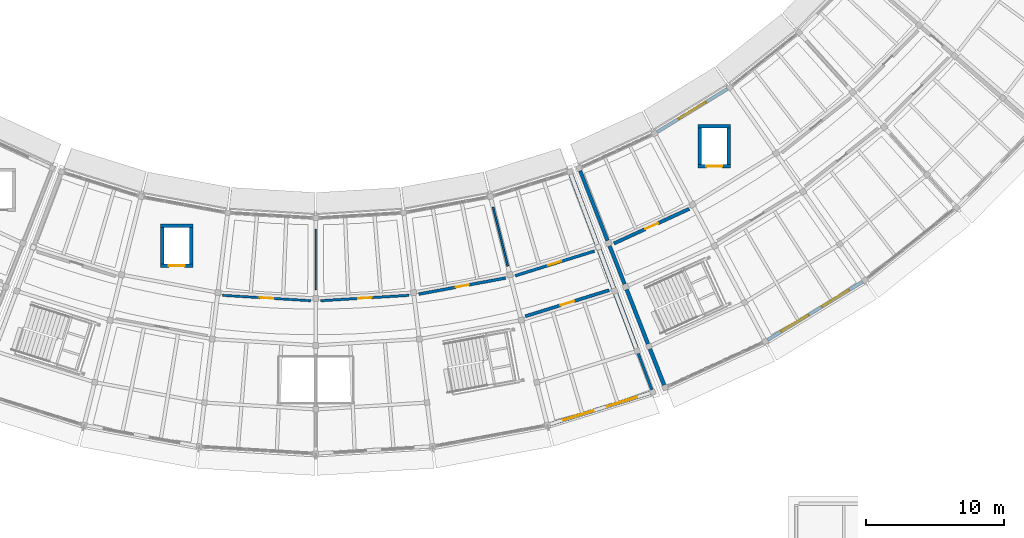
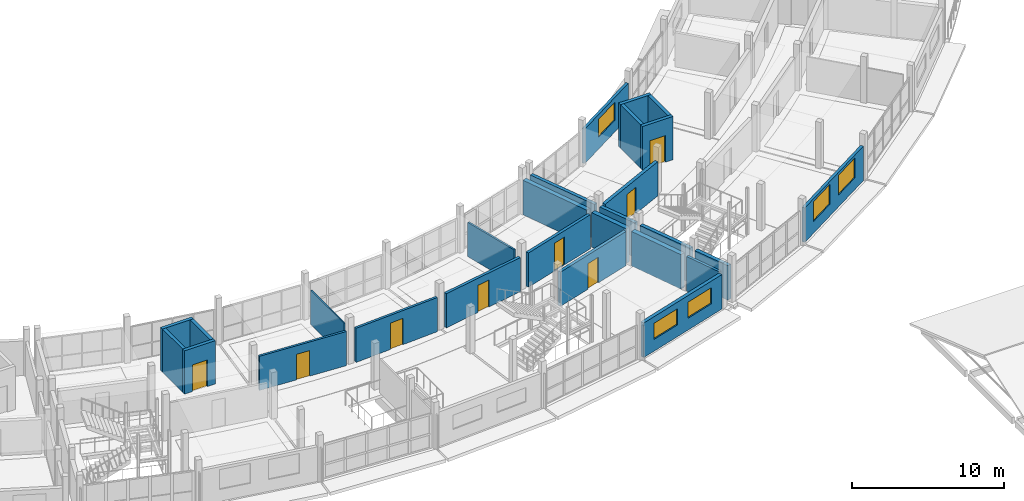
# One storey, part 55 of 66: 27 walls, 8 doors, 5 windows, 13 openings.
"""IFC4 building model written with IfcOpenShell, lengths in metres."""

from ifc_helpers import new_model, si_unit, direction, frame, frame_2d, origin, place, context, subcontext, project, spatial, rectangle, extrude, material, layer, layer_set, type_object, element, fill, save


model = new_model("IFC4")

# Units and contexts
model_context = context("Model", 3, precision=1e-05, world=origin(), true_north=direction((0.0, 1.0)))
body_context = subcontext(model_context, "Body", "Model", "MODEL_VIEW")
ifc_project = project(units=[si_unit("LENGTHUNIT", "METRE"), si_unit("AREAUNIT", "SQUARE_METRE"), si_unit("VOLUMEUNIT", "CUBIC_METRE"), si_unit("PLANEANGLEUNIT", "RADIAN"), si_unit("MASSUNIT", "GRAM", prefix="KILO")], contexts=[model_context])

# Site, building, storey
site_placement = place(None, origin())
site = spatial("IfcSite", under=ifc_project, at=site_placement, CompositionType="ELEMENT")
building_placement = place(site_placement, origin())
building = spatial("IfcBuilding", under=site, at=building_placement, Name="Caldaven Crescent School", CompositionType="ELEMENT")
storey_placement = place(building_placement, frame((0.0, 0.0, 8.159912109375)))
storey = spatial("IfcBuildingStorey", under=building, at=storey_placement, Name="L02", CompositionType="ELEMENT", Elevation=8.159912109375)

# Wall
ifc_material_1 = material(Name="Concrete C35/45", Category="concrete")
ifc_layer_1 = layer(ifc_material_1, 0.300048828125)
ifc_layer_set_1 = layer_set([ifc_layer_1], Name="Concrete C35/45")
wall_type_1 = type_object("IfcWallType", Name="WAL-CW1", PredefinedType="SHEAR", material=ifc_layer_set_1)
wall_1_placement = place(storey_placement, frame((76.729248046875, 42.977783203125, 0.0), z_axis=(0.0, 0.0, 1.0), x_axis=(1.0, 0.0, 0.0)))
element("IfcWall", 1, at=wall_1_placement, inside=storey, type_object=wall_type_1, Name="CW-LF5-L02-N", PredefinedType="SHEAR", context=body_context, shape_type="SweptSolid", body=[
    extrude(rectangle(XDim=2.349853515625, YDim=0.25, at=frame_2d((1.1748046875, 0.0))), origin(), (0.0, 0.0, 1.0), 3.489990234375),
])

# Wall, opening, door
wall_2_placement = place(storey_placement, frame((76.729248046875, 40.07763671875, 0.0), z_axis=(0.0, 0.0, 1.0), x_axis=(1.0, 0.0, 0.0)))
wall_2 = element("IfcWall", 2, at=wall_2_placement, inside=storey, type_object=wall_type_1, Name="CW-LF5-L02-S", PredefinedType="SHEAR", context=body_context, shape_type="SweptSolid", body=[
    extrude(rectangle(XDim=2.349853515625, YDim=0.25, at=frame_2d((1.1748046875, 0.0))), origin(), (0.0, 0.0, 1.0), 3.489990234375),
])
opening_1_placement = place(wall_2_placement, frame((0.60009765625, 0.0, 0.0)))
opening_1 = element("IfcOpeningElement", 3, at=opening_1_placement, cuts=wall_2, Name="Opening LD-LF5-L02", PredefinedType="OPENING", context=body_context, shape_type="SweptSolid", body=[
    extrude(rectangle(XDim=1.14990234375, YDim=2.14990234375, at=frame_2d((0.574951171875, 1.074951171875))), frame((0.0, 0.135009765625, 0.0), z_axis=(0.0, -1.0, 0.0), x_axis=(1.0, 0.0, 0.0)), (0.0, 0.0, 1.0), 0.27001953125),
])
ifc_material_2 = material(Name="Brushed stainless-steel automatic telescopic landing door", Category="steel")
door_type_1 = type_object("IfcDoorType", Name="DOR-LD02", OperationType="DOUBLE_DOOR_SLIDING", PredefinedType="DOOR", material=ifc_material_2)
door_1_placement = place(opening_1_placement, origin())
door_1 = element("IfcDoor", 4, at=door_1_placement, inside=storey, type_object=door_type_1, Name="DOR-LD-LF5-L02", OperationType="DOUBLE_DOOR_SLIDING", OverallHeight=2.14990234375, OverallWidth=1.14990234375, PredefinedType="DOOR", context=body_context, shape_type="SweptSolid", body=[
    extrude(rectangle(XDim=1.14990234375, YDim=2.14990234375, at=frame_2d((0.574951171875, 1.074951171875))), frame((0.0, 0.02490234375, 0.0), z_axis=(0.0, -1.0, 0.0), x_axis=(1.0, 0.0, 0.0)), (0.0, 0.0, 1.0), 0.050048828125),
])
fill(opening_1, door_1)

# Wall
wall_3_placement = place(storey_placement, frame((115.771484375, 50.213623046875, 0.0), z_axis=(0.0, 0.0, 1.0), x_axis=(1.0, 0.0, 0.0)))
element("IfcWall", 5, at=wall_3_placement, inside=storey, type_object=wall_type_1, Name="CW-LF6-L02-N", PredefinedType="SHEAR", context=body_context, shape_type="SweptSolid", body=[
    extrude(rectangle(XDim=2.349853515625, YDim=0.25, at=frame_2d((1.1748046875, 0.0))), origin(), (0.0, 0.0, 1.0), 3.489990234375),
])

# Wall, opening, door
wall_4_placement = place(storey_placement, frame((115.771484375, 47.313720703125, 0.0), z_axis=(0.0, 0.0, 1.0), x_axis=(1.0, 0.0, 0.0)))
wall_4 = element("IfcWall", 6, at=wall_4_placement, inside=storey, type_object=wall_type_1, Name="CW-LF6-L02-S", PredefinedType="SHEAR", context=body_context, shape_type="SweptSolid", body=[
    extrude(rectangle(XDim=2.349853515625, YDim=0.25, at=frame_2d((1.1748046875, 0.0))), origin(), (0.0, 0.0, 1.0), 3.489990234375),
])
opening_2_placement = place(wall_4_placement, frame((0.60009765625, 0.0, 0.0)))
opening_2 = element("IfcOpeningElement", 7, at=opening_2_placement, cuts=wall_4, Name="Opening LD-LF6-L02", PredefinedType="OPENING", context=body_context, shape_type="SweptSolid", body=[
    extrude(rectangle(XDim=1.14990234375, YDim=2.14990234375, at=frame_2d((0.574951171875, 1.074951171875))), frame((0.0, 0.135009765625, 0.0), z_axis=(0.0, -1.0, 0.0), x_axis=(1.0, 0.0, 0.0)), (0.0, 0.0, 1.0), 0.27001953125),
])
door_2_placement = place(opening_2_placement, origin())
door_2 = element("IfcDoor", 8, at=door_2_placement, inside=storey, type_object=door_type_1, Name="DOR-LD-LF6-L02", OperationType="DOUBLE_DOOR_SLIDING", OverallHeight=2.14990234375, OverallWidth=1.14990234375, PredefinedType="DOOR", context=body_context, shape_type="SweptSolid", body=[
    extrude(rectangle(XDim=1.14990234375, YDim=2.14990234375, at=frame_2d((0.574951171875, 1.074951171875))), frame((0.0, 0.02490234375, 0.0), z_axis=(0.0, -1.0, 0.0), x_axis=(1.0, 0.0, 0.0)), (0.0, 0.0, 1.0), 0.050048828125),
])
fill(opening_2, door_2)

# Walls
ifc_layer_2 = layer(ifc_material_1, 0.25)
ifc_layer_set_2 = layer_set([ifc_layer_2], Name="Concrete C35/45")
wall_type_2 = type_object("IfcWallType", Name="WAL-CW2", PredefinedType="SHEAR", material=ifc_layer_set_2)
for number, where, z_axis, x_axis, name in (
    (9, (76.854248046875, 40.20263671875, 0.0), (0.0, 0.0, 1.0), (0.0, 1.0, 0.0), "CW-LF5-L02-W"),
    (10, (78.9541015625, 40.20263671875, 0.0), (0.0, 0.0, 1.0), (0.0, 1.0, 0.0), "CW-LF5-L02-E"),
):
    element("IfcWall", number, at=place(storey_placement, frame(where, z_axis=z_axis, x_axis=x_axis)), inside=storey, type_object=wall_type_2, Name=name, PredefinedType="SHEAR", context=body_context, shape_type="SweptSolid", body=[
        extrude(rectangle(XDim=2.650146484375, YDim=0.25, at=frame_2d((1.3251953125, 0.0))), origin(), (0.0, 0.0, 1.0), 3.489990234375),
    ])
for number, where, z_axis, x_axis, name in (
    (11, (115.896484375, 47.438720703125, 0.0), (0.0, 0.0, 1.0), (0.0, 1.0, 0.0), "CW-LF6-L02-W"),
    (12, (117.996337890625, 47.438720703125, 0.0), (0.0, 0.0, 1.0), (0.0, 1.0, 0.0), "CW-LF6-L02-E"),
):
    element("IfcWall", number, at=place(storey_placement, frame(where, z_axis=z_axis, x_axis=x_axis)), inside=storey, type_object=wall_type_2, Name=name, PredefinedType="SHEAR", context=body_context, shape_type="SweptSolid", body=[
        extrude(rectangle(XDim=2.64990234375, YDim=0.25, at=frame_2d((1.324951171875, 0.0))), origin(), (0.0, 0.0, 1.0), 3.489990234375),
    ])
ifc_material_3 = material(Name="Precast concrete C35/45", Category="concrete")
ifc_layer_3 = layer(ifc_material_3, 0.19189453125)
ifc_layer_set_3 = layer_set([ifc_layer_3], Name="Precast concrete C35/45")
wall_type_3 = type_object("IfcWallType", Name="WAL-EW01", PredefinedType="STANDARD", material=ifc_layer_set_3)
wall_5_placement = place(storey_placement, frame((111.42041015625, 33.70947265625, 0.0), z_axis=(0.0, 0.0, 1.0), x_axis=(0.351915246361, -0.936031868784, 0.0)))
element("IfcWall", 13, at=wall_5_placement, inside=storey, type_object=wall_type_3, Name="EW-L02-182", PredefinedType="STANDARD", context=body_context, shape_type="SweptSolid", body=[
    extrude(rectangle(XDim=2.80419921875, YDim=0.19189453125, at=frame_2d((1.402099609375, 0.0))), origin(), (0.0, 0.0, 1.0), 2.780029296875),
])

# Wall, opening, window
ifc_layer_4 = layer(ifc_material_3, 0.2041015625)
ifc_layer_set_4 = layer_set([ifc_layer_4], Name="Precast concrete C35/45")
wall_type_4 = type_object("IfcWallType", Name="WAL-EW02", PredefinedType="STANDARD", material=ifc_layer_set_4)
wall_6_placement = place(storey_placement, frame((112.792724609375, 49.79296875, 0.0), z_axis=(0.0, 0.0, 1.0), x_axis=(0.85263629261, 0.522504882775, 0.0)))
wall_6 = element("IfcWall", 14, at=wall_6_placement, inside=storey, type_object=wall_type_4, Name="EW-L02-183", PredefinedType="STANDARD", context=body_context, shape_type="SweptSolid", body=[
    extrude(rectangle(XDim=6.0078125, YDim=0.2041015625, at=frame_2d((3.00390625, 0.0))), origin(), (0.0, 0.0, 1.0), 2.780029296875),
])
opening_3_placement = place(wall_6_placement, frame((1.85400390625, 0.0, 0.949951171875)))
opening_3 = element("IfcOpeningElement", 15, at=opening_3_placement, cuts=wall_6, Name="Opening W43", PredefinedType="OPENING", context=body_context, shape_type="SweptSolid", body=[
    extrude(rectangle(XDim=2.300048828125, YDim=1.449951171875, at=frame_2d((1.14990234375, 0.72509765625))), frame((0.0, 0.112060546875, 0.0), z_axis=(0.0, -1.0, 0.0), x_axis=(1.0, 0.0, 0.0)), (0.0, 0.0, 1.0), 0.22412109375),
])
ifc_material_4 = material(Name="Thermally broken anodised aluminium AA 6063-T6 and low-E double glazing", Category="aluminium")
window_type_1 = type_object("IfcWindowType", Name="WIN-W43", PartitioningType="SINGLE_PANEL", PredefinedType="WINDOW", material=ifc_material_4)
window_1_placement = place(opening_3_placement, origin())
window_1 = element("IfcWindow", 16, at=window_1_placement, inside=storey, type_object=window_type_1, Name="WIN-L02-090-1", OverallHeight=1.449951171875, OverallWidth=2.300048828125, PartitioningType="SINGLE_PANEL", PredefinedType="WINDOW", context=body_context, shape_type="SweptSolid", body=[
    extrude(rectangle(XDim=2.300048828125, YDim=1.449951171875, at=frame_2d((1.14990234375, 0.72509765625))), frame((0.0, 0.030029296875, 0.0), z_axis=(0.0, -1.0, 0.0), x_axis=(1.0, 0.0, 0.0)), (0.0, 0.0, 1.0), 0.06005859375),
])
fill(opening_3, window_1)

# Wall, openings, windows
ifc_layer_5 = layer(ifc_material_3, 0.216064453125)
ifc_layer_set_5 = layer_set([ifc_layer_5], Name="Precast concrete C35/45")
wall_type_5 = type_object("IfcWallType", Name="WAL-EW03", PredefinedType="STANDARD", material=ifc_layer_set_5)
wall_7_placement = place(storey_placement, frame((120.820556640625, 34.6943359375, 0.0), z_axis=(0.0, 0.0, 1.0), x_axis=(0.852631156109, 0.522513264551, 0.0)))
wall_7 = element("IfcWall", 17, at=wall_7_placement, inside=storey, type_object=wall_type_5, Name="EW-L02-184", PredefinedType="STANDARD", context=body_context, shape_type="SweptSolid", body=[
    extrude(rectangle(XDim=8.095947265625, YDim=0.216064453125, at=frame_2d((4.0478515625, 0.0))), origin(), (0.0, 0.0, 1.0), 2.780029296875),
])
opening_4_placement = place(wall_7_placement, frame((1.165283203125, 0.0, 0.949951171875)))
opening_4 = element("IfcOpeningElement", 18, at=opening_4_placement, cuts=wall_7, Name="Opening W44", PredefinedType="OPENING", context=body_context, shape_type="SweptSolid", body=[
    extrude(rectangle(XDim=2.300048828125, YDim=1.60009765625, at=frame_2d((1.14990234375, 0.800048828125))), frame((0.0, 0.117919921875, 0.0), z_axis=(0.0, -1.0, 0.0), x_axis=(1.0, 0.0, 0.0)), (0.0, 0.0, 1.0), 0.236083984375),
])
opening_5_placement = place(wall_7_placement, frame((4.630615234375, 0.0, 0.949951171875)))
opening_5 = element("IfcOpeningElement", 19, at=opening_5_placement, cuts=wall_7, Name="Opening W44", PredefinedType="OPENING", context=body_context, shape_type="SweptSolid", body=[
    extrude(rectangle(XDim=2.300048828125, YDim=1.60009765625, at=frame_2d((1.14990234375, 0.800048828125))), frame((0.0, 0.117919921875, 0.0), z_axis=(0.0, -1.0, 0.0), x_axis=(1.0, 0.0, 0.0)), (0.0, 0.0, 1.0), 0.236083984375),
])
window_type_2 = type_object("IfcWindowType", Name="WIN-W44", PartitioningType="SINGLE_PANEL", PredefinedType="WINDOW", material=ifc_material_4)
window_2_placement = place(opening_4_placement, origin())
window_2 = element("IfcWindow", 20, at=window_2_placement, inside=storey, type_object=window_type_2, Name="WIN-L02-091-1", OverallHeight=1.60009765625, OverallWidth=2.300048828125, PartitioningType="SINGLE_PANEL", PredefinedType="WINDOW", context=body_context, shape_type="SweptSolid", body=[
    extrude(rectangle(XDim=2.300048828125, YDim=1.60009765625, at=frame_2d((1.14990234375, 0.800048828125))), frame((0.0, 0.030029296875, 0.0), z_axis=(0.0, -1.0, 0.0), x_axis=(1.0, 0.0, 0.0)), (0.0, 0.0, 1.0), 0.06005859375),
])
fill(opening_4, window_2)
window_3_placement = place(opening_5_placement, origin())
window_3 = element("IfcWindow", 21, at=window_3_placement, inside=storey, type_object=window_type_2, Name="WIN-L02-091-2", OverallHeight=1.60009765625, OverallWidth=2.300048828125, PartitioningType="SINGLE_PANEL", PredefinedType="WINDOW", context=body_context, shape_type="SweptSolid", body=[
    extrude(rectangle(XDim=2.300048828125, YDim=1.60009765625, at=frame_2d((1.14990234375, 0.800048828125))), frame((0.0, 0.030029296875, 0.0), z_axis=(0.0, -1.0, 0.0), x_axis=(1.0, 0.0, 0.0)), (0.0, 0.0, 1.0), 0.06005859375),
])
fill(opening_5, window_3)

# Wall
ifc_layer_6 = layer(ifc_material_3, 0.251953125)
ifc_layer_set_6 = layer_set([ifc_layer_6], Name="Precast concrete C35/45")
wall_type_6 = type_object("IfcWallType", Name="WAL-EW06", PredefinedType="STANDARD", material=ifc_layer_set_6)
wall_8_placement = place(storey_placement, frame((107.205322265625, 46.97998046875, 0.0), z_axis=(0.0, 0.0, 1.0), x_axis=(0.364795350011, -0.931087725518, 0.0)))
element("IfcWall", 22, at=wall_8_placement, inside=storey, type_object=wall_type_6, Name="EW-L02-187", PredefinedType="STANDARD", context=body_context, shape_type="SweptSolid", body=[
    extrude(rectangle(XDim=5.43896484375, YDim=0.251953125, at=frame_2d((2.719482421875, 0.0))), origin(), (0.0, 0.0, 1.0), 2.780029296875),
])

# Wall, openings, windows
ifc_layer_7 = layer(ifc_material_3, 0.263916015625)
ifc_layer_set_7 = layer_set([ifc_layer_7], Name="Precast concrete C35/45")
wall_type_7 = type_object("IfcWallType", Name="WAL-EW07", PredefinedType="STANDARD", material=ifc_layer_set_7)
wall_9_placement = place(storey_placement, frame((105.0146484375, 28.57470703125, 0.0), z_axis=(0.0, 0.0, 1.0), x_axis=(0.954741354709, 0.297437296937, 0.0)))
wall_9 = element("IfcWall", 23, at=wall_9_placement, inside=storey, type_object=wall_type_7, Name="EW-L02-174", PredefinedType="STANDARD", context=body_context, shape_type="SweptSolid", body=[
    extrude(rectangle(XDim=7.617919921875, YDim=0.263916015625, at=frame_2d((3.80908203125, 0.0))), origin(), (0.0, 0.0, 1.0), 2.780029296875),
])
opening_6_placement = place(wall_9_placement, frame((1.005859375, 0.0, 0.949951171875)))
opening_6 = element("IfcOpeningElement", 24, at=opening_6_placement, cuts=wall_9, Name="Opening W42", PredefinedType="OPENING", context=body_context, shape_type="SweptSolid", body=[
    extrude(rectangle(XDim=2.300048828125, YDim=1.300048828125, at=frame_2d((1.14990234375, 0.64990234375))), frame((0.0, 0.141845703125, 0.0), z_axis=(0.0, -1.0, 0.0), x_axis=(1.0, 0.0, 0.0)), (0.0, 0.0, 1.0), 0.283935546875),
])
opening_7_placement = place(wall_9_placement, frame((4.31201171875, 0.0, 0.949951171875)))
opening_7 = element("IfcOpeningElement", 25, at=opening_7_placement, cuts=wall_9, Name="Opening W42", PredefinedType="OPENING", context=body_context, shape_type="SweptSolid", body=[
    extrude(rectangle(XDim=2.300048828125, YDim=1.300048828125, at=frame_2d((1.14990234375, 0.64990234375))), frame((0.0, 0.141845703125, 0.0), z_axis=(0.0, -1.0, 0.0), x_axis=(1.0, 0.0, 0.0)), (0.0, 0.0, 1.0), 0.283935546875),
])
window_type_3 = type_object("IfcWindowType", Name="WIN-W42", PartitioningType="SINGLE_PANEL", PredefinedType="WINDOW", material=ifc_material_4)
window_4_placement = place(opening_6_placement, origin())
window_4 = element("IfcWindow", 26, at=window_4_placement, inside=storey, type_object=window_type_3, Name="WIN-L02-089-1", OverallHeight=1.300048828125, OverallWidth=2.300048828125, PartitioningType="SINGLE_PANEL", PredefinedType="WINDOW", context=body_context, shape_type="SweptSolid", body=[
    extrude(rectangle(XDim=2.300048828125, YDim=1.300048828125, at=frame_2d((1.14990234375, 0.64990234375))), frame((0.0, 0.030029296875, 0.0), z_axis=(0.0, -1.0, 0.0), x_axis=(1.0, 0.0, 0.0)), (0.0, 0.0, 1.0), 0.06005859375),
])
fill(opening_6, window_4)
window_5_placement = place(opening_7_placement, origin())
window_5 = element("IfcWindow", 27, at=window_5_placement, inside=storey, type_object=window_type_3, Name="WIN-L02-089-2", OverallHeight=1.300048828125, OverallWidth=2.300048828125, PartitioningType="SINGLE_PANEL", PredefinedType="WINDOW", context=body_context, shape_type="SweptSolid", body=[
    extrude(rectangle(XDim=2.300048828125, YDim=1.300048828125, at=frame_2d((1.14990234375, 0.64990234375))), frame((0.0, 0.030029296875, 0.0), z_axis=(0.0, -1.0, 0.0), x_axis=(1.0, 0.0, 0.0)), (0.0, 0.0, 1.0), 0.06005859375),
])
fill(opening_7, window_5)

# Walls
wall_10_placement = place(storey_placement, frame((109.3447265625, 41.51904296875, 0.0), z_axis=(0.0, 0.0, 1.0), x_axis=(0.364814075751, -0.931080388653, 0.0)))
element("IfcWall", 28, at=wall_10_placement, inside=storey, type_object=wall_type_7, Name="EW-L02-188", PredefinedType="STANDARD", context=body_context, shape_type="SweptSolid", body=[
    extrude(rectangle(XDim=2.97412109375, YDim=0.263916015625, at=frame_2d((1.487060546875, 0.0))), origin(), (0.0, 0.0, 1.0), 2.780029296875),
])
ifc_layer_8 = layer(ifc_material_3, 0.27587890625)
ifc_layer_set_8 = layer_set([ifc_layer_8], Name="Precast concrete C35/45")
wall_type_8 = type_object("IfcWallType", Name="WAL-EW08", PredefinedType="STANDARD", material=ifc_layer_set_8)
wall_11_placement = place(storey_placement, frame((110.5849609375, 38.353271484375, 0.0), z_axis=(0.0, 0.0, 1.0), x_axis=(0.364807578084, -0.93108293453, 0.0)))
element("IfcWall", 29, at=wall_11_placement, inside=storey, type_object=wall_type_8, Name="EW-L02-189", PredefinedType="STANDARD", context=body_context, shape_type="SweptSolid", body=[
    extrude(rectangle(XDim=4.239013671875, YDim=0.27587890625, at=frame_2d((2.11962890625, 0.0))), origin(), (0.0, 0.0, 1.0), 2.780029296875),
])
ifc_layer_9 = layer(ifc_material_3, 0.2880859375)
ifc_layer_set_9 = layer_set([ifc_layer_9], Name="Precast concrete C35/45")
wall_type_9 = type_object("IfcWallType", Name="WAL-EW09", PredefinedType="STANDARD", material=ifc_layer_set_9)
wall_12_placement = place(storey_placement, frame((112.27587890625, 34.037841796875, 0.0), z_axis=(0.0, 0.0, 1.0), x_axis=(0.364806382824, -0.931083402844, 0.0)))
element("IfcWall", 30, at=wall_12_placement, inside=storey, type_object=wall_type_9, Name="EW-L02-190", PredefinedType="STANDARD", context=body_context, shape_type="SweptSolid", body=[
    extrude(rectangle(XDim=2.80419921875, YDim=0.2880859375, at=frame_2d((1.402099609375, 0.0))), origin(), (0.0, 0.0, 1.0), 2.780029296875),
])
ifc_layer_10 = layer(ifc_material_3, 0.323974609375)
ifc_layer_set_10 = layer_set([ifc_layer_10], Name="Precast concrete C35/45")
wall_type_10 = type_object("IfcWallType", Name="WAL-EW12", PredefinedType="STANDARD", material=ifc_layer_set_10)
wall_13_placement = place(storey_placement, frame((106.528564453125, 46.72021484375, 0.0), z_axis=(0.0, 0.0, 1.0), x_axis=(0.351915297574, -0.936031849529, 0.0)))
element("IfcWall", 31, at=wall_13_placement, inside=storey, type_object=wall_type_10, Name="EW-L02-179", PredefinedType="STANDARD", context=body_context, shape_type="SweptSolid", body=[
    extrude(rectangle(XDim=5.43896484375, YDim=0.323974609375, at=frame_2d((2.719482421875, 0.0))), origin(), (0.0, 0.0, 1.0), 2.780029296875),
])
ifc_layer_11 = layer(ifc_material_3, 0.3359375)
ifc_layer_set_11 = layer_set([ifc_layer_11], Name="Precast concrete C35/45")
wall_type_11 = type_object("IfcWallType", Name="WAL-EW13", PredefinedType="STANDARD", material=ifc_layer_set_11)
wall_14_placement = place(storey_placement, frame((108.592529296875, 41.230224609375, 0.0), z_axis=(0.0, 0.0, 1.0), x_axis=(0.35193299539, -0.936025195577, 0.0)))
element("IfcWall", 32, at=wall_14_placement, inside=storey, type_object=wall_type_11, Name="EW-L02-180", PredefinedType="STANDARD", context=body_context, shape_type="SweptSolid", body=[
    extrude(rectangle(XDim=2.973876953125, YDim=0.3359375, at=frame_2d((1.48681640625, 0.0))), origin(), (0.0, 0.0, 1.0), 2.780029296875),
])
ifc_layer_12 = layer(ifc_material_3, 0.347900390625)
ifc_layer_set_12 = layer_set([ifc_layer_12], Name="Precast concrete C35/45")
wall_type_12 = type_object("IfcWallType", Name="WAL-EW14", PredefinedType="STANDARD", material=ifc_layer_set_12)
wall_15_placement = place(storey_placement, frame((109.7890625, 38.0478515625, 0.0), z_axis=(0.0, 0.0, 1.0), x_axis=(0.351956442029, -0.936016379619, 0.0)))
element("IfcWall", 33, at=wall_15_placement, inside=storey, type_object=wall_type_12, Name="EW-L02-181", PredefinedType="STANDARD", context=body_context, shape_type="SweptSolid", body=[
    extrude(rectangle(XDim=4.239013671875, YDim=0.347900390625, at=frame_2d((2.11962890625, 0.0))), origin(), (0.0, 0.0, 1.0), 2.780029296875),
])

# Wall, opening, door
ifc_material_5 = material(Name="Acoustic timber-stud and fire-rated gypsum board assembly", Category="wood")
ifc_layer_13 = layer(ifc_material_5, 0.169921875)
ifc_layer_set_13 = layer_set([ifc_layer_13], Name="Acoustic timber-stud and fire-rated gypsum board assembly")
wall_type_13 = type_object("IfcWallType", Name="WAL-IW02", PredefinedType="STANDARD", material=ifc_layer_set_13)
wall_16_placement = place(storey_placement, frame((81.232421875, 37.933837890625, 0.0), z_axis=(0.0, 0.0, 1.0), x_axis=(0.998135716959, -0.061033519724, 0.0)))
wall_16 = element("IfcWall", 34, at=wall_16_placement, inside=storey, type_object=wall_type_13, Name="IW-L02-0241", PredefinedType="STANDARD", context=body_context, shape_type="SweptSolid", body=[
    extrude(rectangle(XDim=6.420166015625, YDim=0.169921875, at=frame_2d((3.2099609375, 0.0))), origin(), (0.0, 0.0, 1.0), 2.75),
])
opening_8_placement = place(wall_16_placement, frame((2.72021484375, 0.0, 0.0)))
opening_8 = element("IfcOpeningElement", 35, at=opening_8_placement, cuts=wall_16, Name="Opening D-L02-I172", PredefinedType="OPENING", context=body_context, shape_type="SweptSolid", body=[
    extrude(rectangle(XDim=0.97998046875, YDim=2.06005859375, at=frame_2d((0.489990234375, 1.030029296875))), frame((0.0, 0.094970703125, 0.0), z_axis=(0.0, -1.0, 0.0), x_axis=(1.0, 0.0, 0.0)), (0.0, 0.0, 1.0), 0.18994140625),
])
ifc_material_6 = material(Name="Solid-core Pino Radiata acoustic timber leaf in steel frame", Category="steel")
door_type_2 = type_object("IfcDoorType", Name="DOR-ID13", OperationType="NOTDEFINED", PredefinedType="DOOR", material=ifc_material_6)
door_3_placement = place(opening_8_placement, frame((0.97998046875, 0.0, 0.0), z_axis=(0.0, 0.0, 1.0), x_axis=(-1.0, 0.0, 0.0)))
door_3 = element("IfcDoor", 36, at=door_3_placement, inside=storey, type_object=door_type_2, Name="DOR-INT-L02-0172", OperationType="SINGLE_SWING_LEFT", OverallHeight=2.06005859375, OverallWidth=0.97998046875, PredefinedType="DOOR", context=body_context, shape_type="SweptSolid", body=[
    extrude(rectangle(XDim=0.97998046875, YDim=2.06005859375, at=frame_2d((0.489990234375, 1.030029296875))), frame((0.0, 0.02490234375, 0.0), z_axis=(0.0, -1.0, 0.0), x_axis=(1.0, 0.0, 0.0)), (0.0, 0.0, 1.0), 0.050048828125),
])
fill(opening_8, door_3)

ifc_layer_14 = layer(ifc_material_5, 0.179931640625)
ifc_layer_set_14 = layer_set([ifc_layer_14], Name="Acoustic timber-stud and fire-rated gypsum board assembly")
wall_type_14 = type_object("IfcWallType", Name="WAL-IW03", PredefinedType="STANDARD", material=ifc_layer_set_14)
wall_17_placement = place(storey_placement, frame((88.359375, 37.5419921875, 0.0), z_axis=(0.0, 0.0, 1.0), x_axis=(0.998135716959, 0.061033519724, 0.0)))
wall_17 = element("IfcWall", 37, at=wall_17_placement, inside=storey, type_object=wall_type_14, Name="IW-L02-0242", PredefinedType="STANDARD", context=body_context, shape_type="SweptSolid", body=[
    extrude(rectangle(XDim=6.420166015625, YDim=0.179931640625, at=frame_2d((3.2099609375, 0.0))), origin(), (0.0, 0.0, 1.0), 2.75),
])
opening_9_placement = place(wall_17_placement, frame((2.72021484375, 0.0, 0.0)))
opening_9 = element("IfcOpeningElement", 38, at=opening_9_placement, cuts=wall_17, Name="Opening D-L02-I173", PredefinedType="OPENING", context=body_context, shape_type="SweptSolid", body=[
    extrude(rectangle(XDim=0.97998046875, YDim=2.1201171875, at=frame_2d((0.489990234375, 1.06005859375))), frame((0.0, 0.099853515625, 0.0), z_axis=(0.0, -1.0, 0.0), x_axis=(1.0, 0.0, 0.0)), (0.0, 0.0, 1.0), 0.199951171875),
])
door_type_3 = type_object("IfcDoorType", Name="DOR-ID14", OperationType="NOTDEFINED", PredefinedType="DOOR", material=ifc_material_6)
door_4_placement = place(opening_9_placement, frame((0.97998046875, 0.0, 0.0), z_axis=(0.0, 0.0, 1.0), x_axis=(-1.0, 0.0, 0.0)))
door_4 = element("IfcDoor", 39, at=door_4_placement, inside=storey, type_object=door_type_3, Name="DOR-INT-L02-0173", OperationType="SINGLE_SWING_RIGHT", OverallHeight=2.1201171875, OverallWidth=0.97998046875, PredefinedType="DOOR", context=body_context, shape_type="SweptSolid", body=[
    extrude(rectangle(XDim=0.97998046875, YDim=2.1201171875, at=frame_2d((0.489990234375, 1.06005859375))), frame((0.0, 0.02490234375, 0.0), z_axis=(0.0, -1.0, 0.0), x_axis=(1.0, 0.0, 0.0)), (0.0, 0.0, 1.0), 0.050048828125),
])
fill(opening_9, door_4)

ifc_layer_15 = layer(ifc_material_5, 0.2099609375)
ifc_layer_set_15 = layer_set([ifc_layer_15], Name="Acoustic timber-stud and fire-rated gypsum board assembly")
wall_type_15 = type_object("IfcWallType", Name="WAL-IW06", PredefinedType="STANDARD", material=ifc_layer_set_15)
wall_18_placement = place(storey_placement, frame((95.48095703125, 38.021484375, 0.0), z_axis=(0.0, 0.0, 1.0), x_axis=(0.983257031249, 0.182224066742, 0.0)))
wall_18 = element("IfcWall", 40, at=wall_18_placement, inside=storey, type_object=wall_type_15, Name="IW-L02-0245", PredefinedType="STANDARD", context=body_context, shape_type="SweptSolid", body=[
    extrude(rectangle(XDim=6.420166015625, YDim=0.2099609375, at=frame_2d((3.2099609375, 0.0))), origin(), (0.0, 0.0, 1.0), 2.75),
])
opening_10_placement = place(wall_18_placement, frame((2.72021484375, 0.0, 0.0)))
opening_10 = element("IfcOpeningElement", 41, at=opening_10_placement, cuts=wall_18, Name="Opening D-L02-I174", PredefinedType="OPENING", context=body_context, shape_type="SweptSolid", body=[
    extrude(rectangle(XDim=0.97998046875, YDim=2.179931640625, at=frame_2d((0.489990234375, 1.08984375))), frame((0.0, 0.114990234375, 0.0), z_axis=(0.0, -1.0, 0.0), x_axis=(1.0, 0.0, 0.0)), (0.0, 0.0, 1.0), 0.22998046875),
])
door_type_4 = type_object("IfcDoorType", Name="DOR-ID15", OperationType="NOTDEFINED", PredefinedType="DOOR", material=ifc_material_6)
door_5_placement = place(opening_10_placement, frame((0.97998046875, 0.0, 0.0), z_axis=(0.0, 0.0, 1.0), x_axis=(-1.0, 0.0, 0.0)))
door_5 = element("IfcDoor", 42, at=door_5_placement, inside=storey, type_object=door_type_4, Name="DOR-INT-L02-0174", OperationType="SINGLE_SWING_LEFT", OverallHeight=2.179931640625, OverallWidth=0.97998046875, PredefinedType="DOOR", context=body_context, shape_type="SweptSolid", body=[
    extrude(rectangle(XDim=0.97998046875, YDim=2.179931640625, at=frame_2d((0.489990234375, 1.08984375))), frame((0.0, 0.02490234375, 0.0), z_axis=(0.0, -1.0, 0.0), x_axis=(1.0, 0.0, 0.0)), (0.0, 0.0, 1.0), 0.050048828125),
])
fill(opening_10, door_5)

ifc_layer_16 = layer(ifc_material_5, 0.219970703125)
ifc_layer_set_16 = layer_set([ifc_layer_16], Name="Acoustic timber-stud and fire-rated gypsum board assembly")
wall_type_16 = type_object("IfcWallType", Name="WAL-IW07", PredefinedType="STANDARD", material=ifc_layer_set_16)
wall_19_placement = place(storey_placement, frame((102.4912109375, 39.3642578125, 0.0), z_axis=(0.0, 0.0, 1.0), x_axis=(0.954756741519, 0.297387902451, 0.0)))
wall_19 = element("IfcWall", 43, at=wall_19_placement, inside=storey, type_object=wall_type_16, Name="IW-L02-0246", PredefinedType="STANDARD", context=body_context, shape_type="SweptSolid", body=[
    extrude(rectangle(XDim=6.018310546875, YDim=0.219970703125, at=frame_2d((3.00927734375, 0.0))), origin(), (0.0, 0.0, 1.0), 2.75),
])
opening_11_placement = place(wall_19_placement, frame((2.51904296875, 0.0, 0.0)))
opening_11 = element("IfcOpeningElement", 44, at=opening_11_placement, cuts=wall_19, Name="Opening D-L02-I175", PredefinedType="OPENING", context=body_context, shape_type="SweptSolid", body=[
    extrude(rectangle(XDim=0.97998046875, YDim=2.239990234375, at=frame_2d((0.489990234375, 1.1201171875))), frame((0.0, 0.119873046875, 0.0), z_axis=(0.0, -1.0, 0.0), x_axis=(1.0, 0.0, 0.0)), (0.0, 0.0, 1.0), 0.239990234375),
])
door_type_5 = type_object("IfcDoorType", Name="DOR-ID16", OperationType="NOTDEFINED", PredefinedType="DOOR", material=ifc_material_6)
door_6_placement = place(opening_11_placement, frame((0.97998046875, 0.0, 0.0), z_axis=(0.0, 0.0, 1.0), x_axis=(-1.0, 0.0, 0.0)))
door_6 = element("IfcDoor", 45, at=door_6_placement, inside=storey, type_object=door_type_5, Name="DOR-INT-L02-0175", OperationType="SINGLE_SWING_RIGHT", OverallHeight=2.239990234375, OverallWidth=0.97998046875, PredefinedType="DOOR", context=body_context, shape_type="SweptSolid", body=[
    extrude(rectangle(XDim=0.97998046875, YDim=2.239990234375, at=frame_2d((0.489990234375, 1.1201171875))), frame((0.0, 0.02490234375, 0.0), z_axis=(0.0, -1.0, 0.0), x_axis=(1.0, 0.0, 0.0)), (0.0, 0.0, 1.0), 0.050048828125),
])
fill(opening_11, door_6)

ifc_layer_17 = layer(ifc_material_5, 0.22998046875)
ifc_layer_set_17 = layer_set([ifc_layer_17], Name="Acoustic timber-stud and fire-rated gypsum board assembly")
wall_type_17 = type_object("IfcWallType", Name="WAL-IW08", PredefinedType="STANDARD", material=ifc_layer_set_17)
wall_20_placement = place(storey_placement, frame((103.226806640625, 36.41455078125, 0.0), z_axis=(0.0, 0.0, 1.0), x_axis=(0.954750390155, 0.297408292585, 0.0)))
wall_20 = element("IfcWall", 46, at=wall_20_placement, inside=storey, type_object=wall_type_17, Name="IW-L02-0247", PredefinedType="STANDARD", context=body_context, shape_type="SweptSolid", body=[
    extrude(rectangle(XDim=6.368408203125, YDim=0.22998046875, at=frame_2d((3.18408203125, 0.0))), origin(), (0.0, 0.0, 1.0), 2.75),
])
opening_12_placement = place(wall_20_placement, frame((2.67431640625, 0.0, 0.0)))
opening_12 = element("IfcOpeningElement", 47, at=opening_12_placement, cuts=wall_20, Name="Opening D-L02-I176", PredefinedType="OPENING", context=body_context, shape_type="SweptSolid", body=[
    extrude(rectangle(XDim=1.02001953125, YDim=2.06005859375, at=frame_2d((0.510009765625, 1.030029296875))), frame((0.0, 0.125, 0.0), z_axis=(0.0, -1.0, 0.0), x_axis=(1.0, 0.0, 0.0)), (0.0, 0.0, 1.0), 0.25),
])
door_type_6 = type_object("IfcDoorType", Name="DOR-ID17", OperationType="NOTDEFINED", PredefinedType="DOOR", material=ifc_material_6)
door_7_placement = place(opening_12_placement, origin())
door_7 = element("IfcDoor", 48, at=door_7_placement, inside=storey, type_object=door_type_6, Name="DOR-INT-L02-0176", OperationType="SINGLE_SWING_LEFT", OverallHeight=2.06005859375, OverallWidth=1.02001953125, PredefinedType="DOOR", context=body_context, shape_type="SweptSolid", body=[
    extrude(rectangle(XDim=1.02001953125, YDim=2.06005859375, at=frame_2d((0.510009765625, 1.030029296875))), frame((0.0, 0.02490234375, 0.0), z_axis=(0.0, -1.0, 0.0), x_axis=(1.0, 0.0, 0.0)), (0.0, 0.0, 1.0), 0.050048828125),
])
fill(opening_12, door_7)

ifc_layer_18 = layer(ifc_material_5, 0.25)
ifc_layer_set_18 = layer_set([ifc_layer_18], Name="Acoustic timber-stud and fire-rated gypsum board assembly")
wall_type_18 = type_object("IfcWallType", Name="WAL-IW10", PredefinedType="STANDARD", material=ifc_layer_set_18)
wall_21_placement = place(storey_placement, frame((109.659912109375, 41.7001953125, 0.0), z_axis=(0.0, 0.0, 1.0), x_axis=(0.908523717144, 0.417833286595, 0.0)))
wall_21 = element("IfcWall", 49, at=wall_21_placement, inside=storey, type_object=wall_type_18, Name="IW-L02-0249", PredefinedType="STANDARD", context=body_context, shape_type="SweptSolid", body=[
    extrude(rectangle(XDim=6.018310546875, YDim=0.25, at=frame_2d((3.00927734375, 0.0))), origin(), (0.0, 0.0, 1.0), 2.75),
])
opening_13_placement = place(wall_21_placement, frame((2.4990234375, 0.0, 0.0)))
opening_13 = element("IfcOpeningElement", 50, at=opening_13_placement, cuts=wall_21, Name="Opening D-L02-I177", PredefinedType="OPENING", context=body_context, shape_type="SweptSolid", body=[
    extrude(rectangle(XDim=1.02001953125, YDim=2.1201171875, at=frame_2d((0.510009765625, 1.06005859375))), frame((0.0, 0.135009765625, 0.0), z_axis=(0.0, -1.0, 0.0), x_axis=(1.0, 0.0, 0.0)), (0.0, 0.0, 1.0), 0.27001953125),
])
door_type_7 = type_object("IfcDoorType", Name="DOR-ID18", OperationType="NOTDEFINED", PredefinedType="DOOR", material=ifc_material_6)
door_8_placement = place(opening_13_placement, frame((1.02001953125, 0.0, 0.0), z_axis=(0.0, 0.0, 1.0), x_axis=(-1.0, 0.0, 0.0)))
door_8 = element("IfcDoor", 51, at=door_8_placement, inside=storey, type_object=door_type_7, Name="DOR-INT-L02-0177", OperationType="SINGLE_SWING_RIGHT", OverallHeight=2.1201171875, OverallWidth=1.02001953125, PredefinedType="DOOR", context=body_context, shape_type="SweptSolid", body=[
    extrude(rectangle(XDim=1.02001953125, YDim=2.1201171875, at=frame_2d((0.510009765625, 1.06005859375))), frame((0.0, 0.02490234375, 0.0), z_axis=(0.0, -1.0, 0.0), x_axis=(1.0, 0.0, 0.0)), (0.0, 0.0, 1.0), 0.050048828125),
])
fill(opening_13, door_8)

# Walls
ifc_material_7 = material(Name="Acoustic double-layer gypsum partition on galvanised steel studs", Category="steel")
ifc_layer_19 = layer(ifc_material_7, 0.10400390625)
ifc_layer_set_19 = layer_set([ifc_layer_19], Name="Acoustic double-layer gypsum partition on galvanised steel studs")
wall_type_19 = type_object("IfcWallType", Name="WAL-PT04", PredefinedType="PARTITIONING", material=ifc_layer_set_19)
wall_22_placement = place(storey_placement, frame((88.0, 42.75, 0.0), z_axis=(0.0, 0.0, 1.0), x_axis=(0.0, -1.0, 0.0)))
element("IfcWall", 52, at=wall_22_placement, inside=storey, type_object=wall_type_19, Name="IW-L02-0243", PredefinedType="PARTITIONING", context=body_context, shape_type="SweptSolid", body=[
    extrude(rectangle(XDim=4.39990234375, YDim=0.10400390625, at=frame_2d((2.199951171875, 0.0))), origin(), (0.0, 0.0, 1.0), 2.75),
])
ifc_layer_20 = layer(ifc_material_7, 0.134033203125)
ifc_layer_set_20 = layer_set([ifc_layer_20], Name="Acoustic double-layer gypsum partition on galvanised steel studs")
wall_type_20 = type_object("IfcWallType", Name="WAL-PT09", PredefinedType="PARTITIONING", material=ifc_layer_set_20)
wall_23_placement = place(storey_placement, frame((100.88232421875, 44.331787109375, 0.0), z_axis=(0.0, 0.0, 1.0), x_axis=(0.241921959033, -0.97029571046, 0.0)))
element("IfcWall", 53, at=wall_23_placement, inside=storey, type_object=wall_type_20, Name="IW-L02-0248", PredefinedType="PARTITIONING", context=body_context, shape_type="SweptSolid", body=[
    extrude(rectangle(XDim=4.39990234375, YDim=0.134033203125, at=frame_2d((2.199951171875, 0.0))), origin(), (0.0, 0.0, 1.0), 2.75),
])

save(model, "model.ifc")
